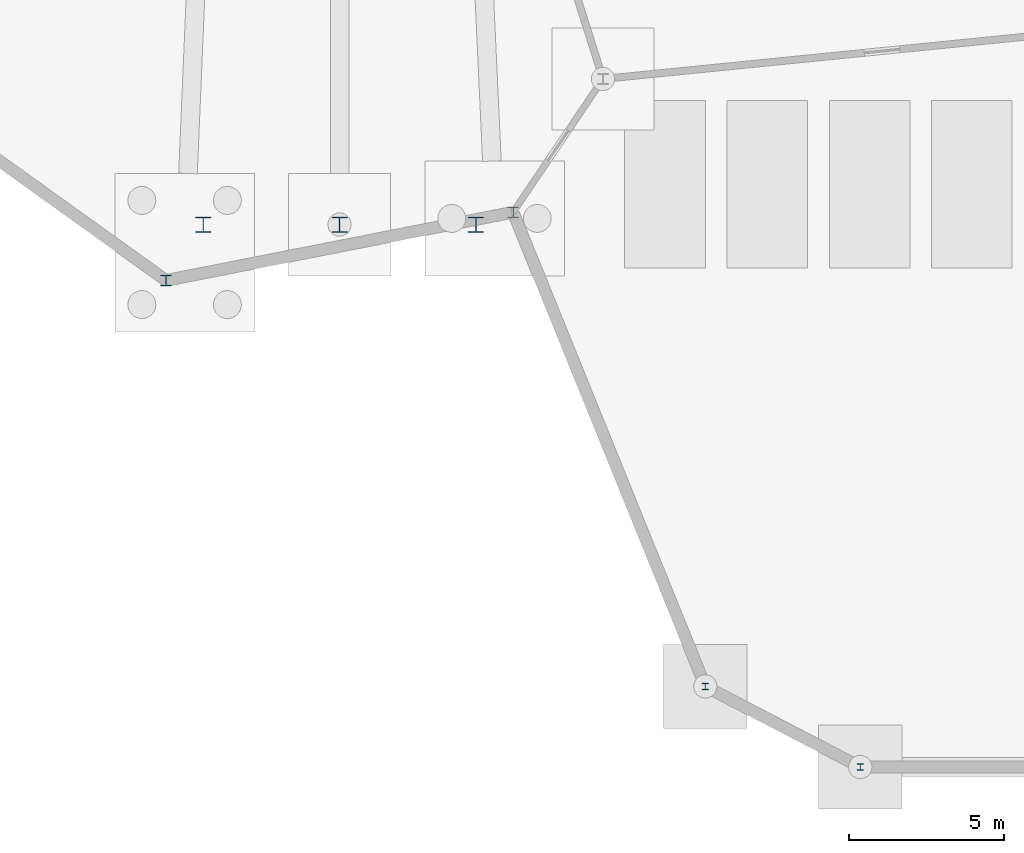
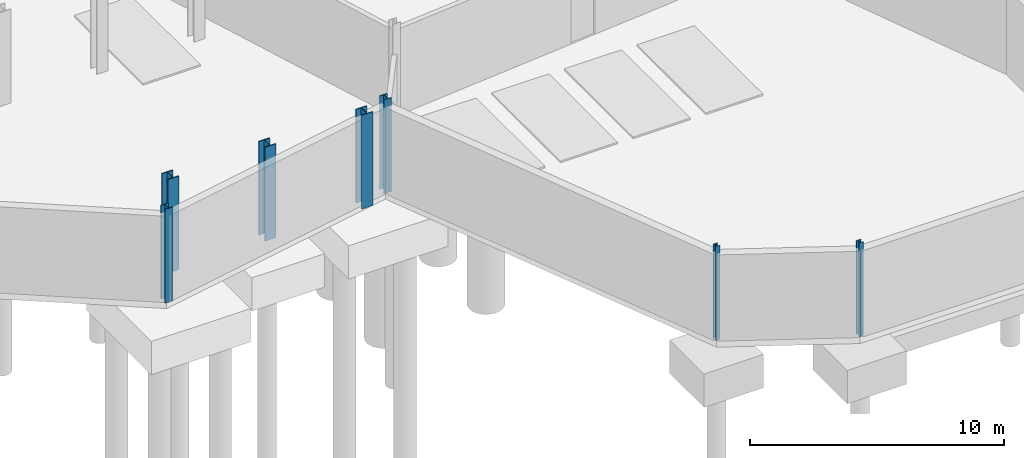
# One storey, part 20 of 37: 7 columns.
"""IFC4 building model written with IfcOpenShell, lengths in metres."""

from ifc_helpers import new_model, si_unit, direction, frame, origin, origin_2d, place, context, subcontext, project, spatial, i_section, extrude, material, material_profile, profile_set, type_object, element, save


model = new_model("IFC4")

# Units and contexts
model_context = context("Model", 3, precision=1e-05, world=origin(), true_north=direction((0.0, 1.0)))
body_context = subcontext(model_context, "Body", "Model", "MODEL_VIEW")
ifc_project = project(units=[si_unit("LENGTHUNIT", "METRE"), si_unit("AREAUNIT", "SQUARE_METRE"), si_unit("VOLUMEUNIT", "CUBIC_METRE"), si_unit("PLANEANGLEUNIT", "RADIAN"), si_unit("MASSUNIT", "GRAM", prefix="KILO")], contexts=[model_context])

# Site, building, storey
site_placement = place(None, origin())
site = spatial("IfcSite", under=ifc_project, at=site_placement, CompositionType="ELEMENT")
building_placement = place(site_placement, origin())
building = spatial("IfcBuilding", under=site, at=building_placement, Name="Tameran Prism Museum", CompositionType="ELEMENT")
storey_placement = place(building_placement, frame((0.0, 0.0, -4.5)))
storey = spatial("IfcBuildingStorey", under=building, at=storey_placement, Name="B1", CompositionType="ELEMENT", Elevation=-4.5)

# Columns
ifc_material_1 = material(Name="Steel Grade 300PLUS (300 MPa)", Category="steel")
ifc_material_profile_1 = material_profile(ifc_material_1, i_section(OverallWidth=0.205078125, OverallDepth=0.2099609375, WebThickness=0.00927734375, FlangeThickness=0.01416015625, FilletRadius=0.01025390625, at=origin_2d()))
ifc_profile_set_1 = profile_set([ifc_material_profile_1])
column_type_1 = type_object("IfcColumnType", Name="COL-UC200", PredefinedType="COLUMN", material=ifc_profile_set_1)
for number, where, z_axis, x_axis, name in (
    (1, (147.300048828125, 2.60009765625, 0.0), (0.0, 0.0, 1.0), (1.0, 0.0, 0.0), "Column CV-62 B1"),
    (2, (152.300048828125, 0.0, 0.0), (0.0, 0.0, 1.0), (1.0, 0.0, 0.0), "Column CV-64 B1"),
):
    element("IfcColumn", number, at=place(storey_placement, frame(where, z_axis=z_axis, x_axis=x_axis)), inside=storey, type_object=column_type_1, Name=name, PredefinedType="COLUMN", context=body_context, shape_type="SweptSolid", body=[
        extrude(i_section(OverallWidth=0.205078125, OverallDepth=0.2099609375, WebThickness=0.00927734375, FlangeThickness=0.01416015625, FilletRadius=0.01025390625, at=origin_2d()), origin(), (0.0, 0.0, 1.0), 4.5),
    ])
ifc_material_2 = material(Name="Steel Grade 350 (350 MPa)", Category="steel")
ifc_material_profile_2 = material_profile(ifc_material_2, i_section(OverallWidth=0.35009765625, OverallDepth=0.35009765625, WebThickness=0.02001953125, FlangeThickness=0.028076171875, at=origin_2d()))
ifc_profile_set_2 = profile_set([ifc_material_profile_2])
column_type_2 = type_object("IfcColumnType", Name="COL-WC350", PredefinedType="COLUMN", material=ifc_profile_set_2)
for number, where, z_axis, x_axis, name in (
    (3, (129.89990234375, 15.699951171875, 0.0), (0.0, 0.0, 1.0), (1.0, 0.0, 0.0), "Column CV-52 B1"),
    (4, (141.10009765625, 17.89990234375, 0.0), (0.0, 0.0, 1.0), (1.0, 0.0, 0.0), "Column CV-59 B1"),
):
    element("IfcColumn", number, at=place(storey_placement, frame(where, z_axis=z_axis, x_axis=x_axis)), inside=storey, type_object=column_type_2, Name=name, PredefinedType="COLUMN", context=body_context, shape_type="SweptSolid", body=[
        extrude(i_section(OverallWidth=0.35009765625, OverallDepth=0.35009765625, WebThickness=0.02001953125, FlangeThickness=0.028076171875, at=origin_2d()), origin(), (0.0, 0.0, 1.0), 4.5),
    ])
ifc_material_3 = material(Name="Steel Grade 350 (350 MPa)", Category="steel")
ifc_material_profile_3 = material_profile(ifc_material_3, i_section(OverallWidth=0.5, OverallDepth=0.5, WebThickness=0.02197265625, FlangeThickness=0.035888671875, at=origin_2d()))
ifc_profile_set_3 = profile_set([ifc_material_profile_3])
column_type_3 = type_object("IfcColumnType", Name="COL-WC500", PredefinedType="COLUMN", material=ifc_profile_set_3)
for number, where, z_axis, x_axis, name in (
    (5, (131.10009765625, 17.5, 0.0), (0.0, 0.0, 1.0), (1.0, 0.0, 0.0), "Column CT-1F B1"),
    (6, (135.5, 17.5, 0.0), (0.0, 0.0, 1.0), (1.0, 0.0, 0.0), "Column CT-2F B1"),
    (7, (139.89990234375, 17.5, 0.0), (0.0, 0.0, 1.0), (1.0, 0.0, 0.0), "Column CT-3F B1"),
):
    element("IfcColumn", number, at=place(storey_placement, frame(where, z_axis=z_axis, x_axis=x_axis)), inside=storey, type_object=column_type_3, Name=name, PredefinedType="COLUMN", context=body_context, shape_type="SweptSolid", body=[
        extrude(i_section(OverallWidth=0.5, OverallDepth=0.5, WebThickness=0.02197265625, FlangeThickness=0.035888671875, at=origin_2d()), origin(), (0.0, 0.0, 1.0), 4.5),
    ])

save(model, "model.ifc")
